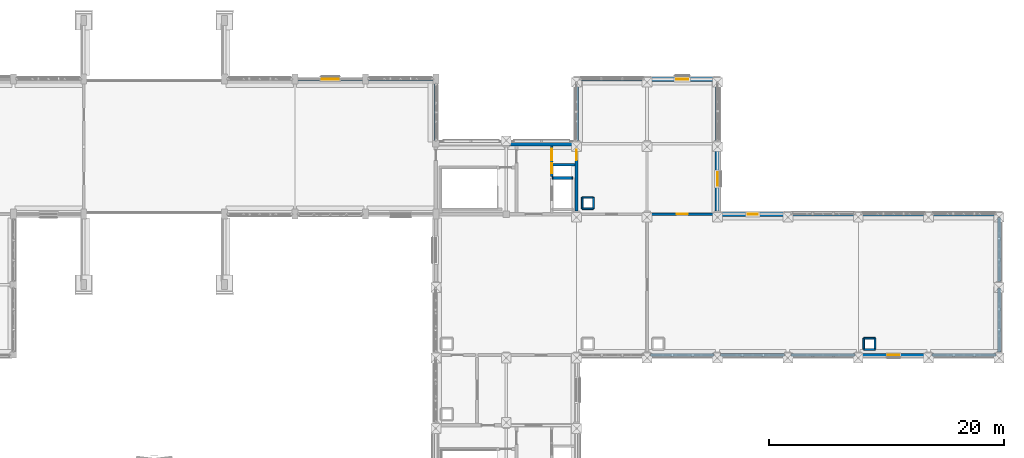
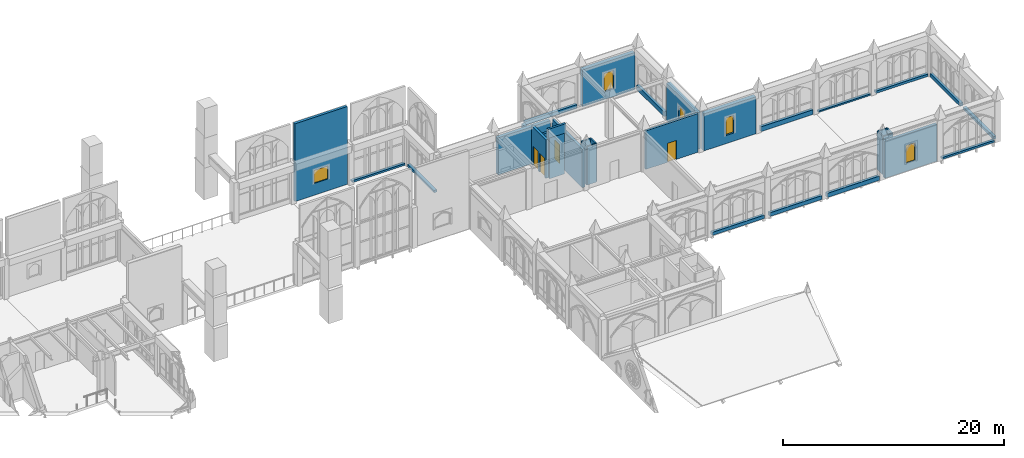
# One storey, part 80 of 108: 34 walls, 5 windows, 4 doors, 9 openings.
"""IFC4 building model written with IfcOpenShell, lengths in metres."""

from ifc_helpers import new_model, si_unit, direction, frame, frame_2d, origin, place, context, subcontext, project, spatial, rectangle, extrude, material, layer, layer_set, type_object, element, fill, save


model = new_model("IFC4")

# Units and contexts
model_context = context("Model", 3, precision=1e-05, world=origin(), true_north=direction((0.0, 1.0)))
body_context = subcontext(model_context, "Body", "Model", "MODEL_VIEW")
ifc_project = project(units=[si_unit("LENGTHUNIT", "METRE"), si_unit("AREAUNIT", "SQUARE_METRE"), si_unit("VOLUMEUNIT", "CUBIC_METRE"), si_unit("PLANEANGLEUNIT", "RADIAN"), si_unit("MASSUNIT", "GRAM", prefix="KILO")], contexts=[model_context])

# Site, building, storey
site_placement = place(None, origin())
site = spatial("IfcSite", under=ifc_project, at=site_placement, CompositionType="ELEMENT")
building_placement = place(site_placement, origin())
building = spatial("IfcBuilding", under=site, at=building_placement, Name="Cumevento Cable Car Station", CompositionType="ELEMENT")
storey_placement = place(building_placement, frame((0.0, 0.0, 13.5)))
storey = spatial("IfcBuildingStorey", under=building, at=storey_placement, Name="L04", CompositionType="ELEMENT", Elevation=13.5)

# Wall, opening, window
ifc_material_1 = material(Name="Gnaisse Facoidal Stone Ashlar 85 MPa", Category="masonry")
ifc_layer_1 = layer(ifc_material_1, 0.264892578125)
ifc_layer_set_1 = layer_set([ifc_layer_1], Name="Gnaisse Facoidal Stone Ashlar 85 MPa")
wall_type_1 = type_object("IfcWallType", Name="Exterior Envelope Wall EW-265 265", PredefinedType="SOLIDWALL", material=ifc_layer_set_1)
wall_1_placement = place(storey_placement, frame((159.72509765625, 33.0, 0.0), z_axis=(0.0, 0.0, 1.0), x_axis=(-1.0, 0.0, 0.0)))
wall_1 = element("IfcWall", 1, at=wall_1_placement, inside=storey, type_object=wall_type_1, Name="Exterior Wall EW-265 L04 #364", PredefinedType="SOLIDWALL", context=body_context, shape_type="SweptSolid", body=[
    extrude(rectangle(XDim=5.4501953125, YDim=0.264892578125, at=frame_2d((2.72509765625, 0.0))), origin(), (0.0, 0.0, 1.0), 4.093017578125),
])
opening_1_placement = place(wall_1_placement, frame((2.25, 0.0, 0.89990234375)))
opening_1 = element("IfcOpeningElement", 2, at=opening_1_placement, cuts=wall_1, Name="Opening WN-L04-098", PredefinedType="OPENING", context=body_context, shape_type="SweptSolid", body=[
    extrude(rectangle(XDim=0.949951171875, YDim=1.949951171875, at=frame_2d((0.47509765625, 0.97509765625))), frame((0.0, 0.142333984375, 0.0), z_axis=(0.0, -1.0, 0.0), x_axis=(1.0, 0.0, 0.0)), (0.0, 0.0, 1.0), 0.284912109375),
])
ifc_material_2 = material(Name="Anodised Bronze Aluminium & Laminated Solar Glass", Category="aluminium")
window_type_1 = type_object("IfcWindowType", Name="Lancet Window WN-02 950x1950", PartitioningType="SINGLE_PANEL", PredefinedType="WINDOW", material=ifc_material_2)
window_1_placement = place(opening_1_placement, origin())
window_1 = element("IfcWindow", 3, at=window_1_placement, inside=storey, type_object=window_type_1, Name="Lancet Window WN-L04-098 (WN-02)", OverallHeight=1.949951171875, OverallWidth=0.949951171875, PartitioningType="SINGLE_PANEL", PredefinedType="WINDOW", context=body_context, shape_type="SweptSolid", body=[
    extrude(rectangle(XDim=0.949951171875, YDim=1.949951171875, at=frame_2d((0.47509765625, 0.97509765625))), frame((0.0, 0.030029296875, 0.0), z_axis=(0.0, -1.0, 0.0), x_axis=(1.0, 0.0, 0.0)), (0.0, 0.0, 1.0), 0.06005859375),
])
fill(opening_1, window_1)

ifc_material_3 = material(Name="Gnaisse Facoidal Stone Ashlar 85 MPa", Category="masonry")
ifc_layer_2 = layer(ifc_material_3, 0.280029296875)
ifc_layer_set_2 = layer_set([ifc_layer_2], Name="Gnaisse Facoidal Stone Ashlar 85 MPa")
wall_type_2 = type_object("IfcWallType", Name="Exterior Envelope Wall EW-280 280", PredefinedType="SOLIDWALL", material=ifc_layer_set_2)
wall_2_placement = place(storey_placement, frame((106.25, 56.5, 0.0), z_axis=(0.0, 0.0, 1.0), x_axis=(1.0, 0.0, 0.0)))
wall_2 = element("IfcWall", 4, at=wall_2_placement, inside=storey, type_object=wall_type_2, Name="Exterior Wall EW-280 L04 #339", PredefinedType="SOLIDWALL", context=body_context, shape_type="SweptSolid", body=[
    extrude(rectangle(XDim=5.5, YDim=0.280029296875, at=frame_2d((2.75, 0.0))), origin(), (0.0, 0.0, 1.0), 8.593017578125),
])
opening_2_placement = place(wall_2_placement, frame((2.02490234375, 0.0, 1.300048828125)))
opening_2 = element("IfcOpeningElement", 5, at=opening_2_placement, cuts=wall_2, Name="Opening WN-L04-092", PredefinedType="OPENING", context=body_context, shape_type="SweptSolid", body=[
    extrude(rectangle(XDim=1.449951171875, YDim=1.449951171875, at=frame_2d((0.72509765625, 0.72509765625))), frame((0.0, 0.150146484375, 0.0), z_axis=(0.0, -1.0, 0.0), x_axis=(1.0, 0.0, 0.0)), (0.0, 0.0, 1.0), 0.300048828125),
])
ifc_material_4 = material(Name="Anodised Bronze Aluminium & Laminated Solar Glass", Category="aluminium")
window_type_2 = type_object("IfcWindowType", Name="Lancet Window WN-20 1450x1450", PartitioningType="SINGLE_PANEL", PredefinedType="WINDOW", material=ifc_material_4)
window_2_placement = place(opening_2_placement, origin())
window_2 = element("IfcWindow", 6, at=window_2_placement, inside=storey, type_object=window_type_2, Name="Lancet Window WN-L04-092 (WN-20)", OverallHeight=1.449951171875, OverallWidth=1.449951171875, PartitioningType="SINGLE_PANEL", PredefinedType="WINDOW", context=body_context, shape_type="SweptSolid", body=[
    extrude(rectangle(XDim=1.449951171875, YDim=1.449951171875, at=frame_2d((0.72509765625, 0.72509765625))), frame((0.0, 0.030029296875, 0.0), z_axis=(0.0, -1.0, 0.0), x_axis=(1.0, 0.0, 0.0)), (0.0, 0.0, 1.0), 0.06005859375),
])
fill(opening_2, window_2)

# Walls
ifc_material_5 = material(Name="Gnaisse Facoidal Stone Ashlar 85 MPa", Category="masonry")
ifc_layer_3 = layer(ifc_material_5, 0.294921875)
ifc_layer_set_3 = layer_set([ifc_layer_3], Name="Gnaisse Facoidal Stone Ashlar 85 MPa")
wall_type_3 = type_object("IfcWallType", Name="Exterior Envelope Wall EW-295 295", PredefinedType="SOLIDWALL", material=ifc_layer_set_3)
wall_3_placement = place(storey_placement, frame((112.25, 56.5, 0.0), z_axis=(0.0, 0.0, 1.0), x_axis=(1.0, 0.0, 0.0)))
element("IfcWall", 7, at=wall_3_placement, inside=storey, type_object=wall_type_3, Name="Exterior Sill Curb Wall EW-295 L04 #341", PredefinedType="SOLIDWALL", context=body_context, shape_type="SweptSolid", body=[
    extrude(rectangle(XDim=5.5, YDim=0.294921875, at=frame_2d((2.75, 0.0))), origin(), (0.0, 0.0, 1.0), 0.2099609375),
])
wall_4_placement = place(storey_placement, frame((118.0, 56.074951171875, 0.0), z_axis=(0.0, 0.0, 1.0), x_axis=(0.0, -1.0, 0.0)))
element("IfcWall", 8, at=wall_4_placement, inside=storey, type_object=wall_type_3, Name="Exterior Sill Curb Wall EW-295 L04 #342", PredefinedType="SOLIDWALL", context=body_context, shape_type="SweptSolid", body=[
    extrude(rectangle(XDim=4.800048828125, YDim=0.294921875, at=frame_2d((2.39990234375, 0.0))), origin(), (0.0, 0.0, 1.0), 0.260009765625),
])
wall_5_placement = place(storey_placement, frame((141.72509765625, 33.0, 0.0), z_axis=(0.0, 0.0, 1.0), x_axis=(-1.0, 0.0, 0.0)))
element("IfcWall", 9, at=wall_5_placement, inside=storey, type_object=wall_type_3, Name="Exterior Sill Curb Wall EW-295 L04 #359", PredefinedType="SOLIDWALL", context=body_context, shape_type="SweptSolid", body=[
    extrude(rectangle(XDim=5.4501953125, YDim=0.294921875, at=frame_2d((2.72509765625, 0.0))), origin(), (0.0, 0.0, 1.0), 0.360107421875),
])
wall_6_placement = place(storey_placement, frame((147.72509765625, 33.0, 0.0), z_axis=(0.0, 0.0, 1.0), x_axis=(-1.0, 0.0, 0.0)))
element("IfcWall", 10, at=wall_6_placement, inside=storey, type_object=wall_type_3, Name="Exterior Sill Curb Wall EW-295 L04 #360", PredefinedType="SOLIDWALL", context=body_context, shape_type="SweptSolid", body=[
    extrude(rectangle(XDim=5.4501953125, YDim=0.294921875, at=frame_2d((2.72509765625, 0.0))), origin(), (0.0, 0.0, 1.0), 0.409912109375),
])
wall_7_placement = place(storey_placement, frame((153.72509765625, 33.0, 0.0), z_axis=(0.0, 0.0, 1.0), x_axis=(-1.0, 0.0, 0.0)))
element("IfcWall", 11, at=wall_7_placement, inside=storey, type_object=wall_type_3, Name="Exterior Sill Curb Wall EW-295 L04 #362", PredefinedType="SOLIDWALL", context=body_context, shape_type="SweptSolid", body=[
    extrude(rectangle(XDim=5.4501953125, YDim=0.294921875, at=frame_2d((2.72509765625, 0.0))), origin(), (0.0, 0.0, 1.0), 0.4599609375),
])
wall_8_placement = place(storey_placement, frame((148.27490234375, 45.0, 0.0), z_axis=(0.0, 0.0, 1.0), x_axis=(1.0, 0.0, 0.0)))
element("IfcWall", 12, at=wall_8_placement, inside=storey, type_object=wall_type_3, Name="Exterior Sill Curb Wall EW-295 L04 #363", PredefinedType="SOLIDWALL", context=body_context, shape_type="SweptSolid", body=[
    extrude(rectangle(XDim=5.4501953125, YDim=0.294921875, at=frame_2d((2.72509765625, 0.0))), origin(), (0.0, 0.0, 1.0), 0.52001953125),
])
wall_9_placement = place(storey_placement, frame((154.27490234375, 45.0, 0.0), z_axis=(0.0, 0.0, 1.0), x_axis=(1.0, 0.0, 0.0)))
element("IfcWall", 13, at=wall_9_placement, inside=storey, type_object=wall_type_3, Name="Exterior Sill Curb Wall EW-295 L04 #365", PredefinedType="SOLIDWALL", context=body_context, shape_type="SweptSolid", body=[
    extrude(rectangle(XDim=5.4501953125, YDim=0.294921875, at=frame_2d((2.72509765625, 0.0))), origin(), (0.0, 0.0, 1.0), 0.159912109375),
])
wall_10_placement = place(storey_placement, frame((165.72509765625, 33.0, 0.0), z_axis=(0.0, 0.0, 1.0), x_axis=(-1.0, 0.0, 0.0)))
element("IfcWall", 14, at=wall_10_placement, inside=storey, type_object=wall_type_3, Name="Exterior Sill Curb Wall EW-295 L04 #366", PredefinedType="SOLIDWALL", context=body_context, shape_type="SweptSolid", body=[
    extrude(rectangle(XDim=5.4501953125, YDim=0.294921875, at=frame_2d((2.72509765625, 0.0))), origin(), (0.0, 0.0, 1.0), 0.2099609375),
])
wall_11_placement = place(storey_placement, frame((160.27490234375, 45.0, 0.0), z_axis=(0.0, 0.0, 1.0), x_axis=(1.0, 0.0, 0.0)))
element("IfcWall", 15, at=wall_11_placement, inside=storey, type_object=wall_type_3, Name="Exterior Sill Curb Wall EW-295 L04 #367", PredefinedType="SOLIDWALL", context=body_context, shape_type="SweptSolid", body=[
    extrude(rectangle(XDim=5.4501953125, YDim=0.294921875, at=frame_2d((2.72509765625, 0.0))), origin(), (0.0, 0.0, 1.0), 0.260009765625),
])
wall_12_placement = place(storey_placement, frame((166.0, 38.72509765625, 0.0), z_axis=(0.0, 0.0, 1.0), x_axis=(0.0, -1.0, 0.0)))
element("IfcWall", 16, at=wall_12_placement, inside=storey, type_object=wall_type_3, Name="Exterior Sill Curb Wall EW-295 L04 #368", PredefinedType="SOLIDWALL", context=body_context, shape_type="SweptSolid", body=[
    extrude(rectangle(XDim=5.4501953125, YDim=0.294921875, at=frame_2d((2.72509765625, 0.0))), origin(), (0.0, 0.0, 1.0), 0.31005859375),
])
wall_13_placement = place(storey_placement, frame((166.0, 44.72509765625, 0.0), z_axis=(0.0, 0.0, 1.0), x_axis=(0.0, -1.0, 0.0)))
element("IfcWall", 17, at=wall_13_placement, inside=storey, type_object=wall_type_3, Name="Exterior Sill Curb Wall EW-295 L04 #369", PredefinedType="SOLIDWALL", context=body_context, shape_type="SweptSolid", body=[
    extrude(rectangle(XDim=5.4501953125, YDim=0.294921875, at=frame_2d((2.72509765625, 0.0))), origin(), (0.0, 0.0, 1.0), 0.360107421875),
])
wall_14_placement = place(storey_placement, frame((130.27490234375, 56.5, 0.0), z_axis=(0.0, 0.0, 1.0), x_axis=(1.0, 0.0, 0.0)))
element("IfcWall", 18, at=wall_14_placement, inside=storey, type_object=wall_type_3, Name="Exterior Sill Curb Wall EW-295 L04 #372", PredefinedType="SOLIDWALL", context=body_context, shape_type="SweptSolid", body=[
    extrude(rectangle(XDim=5.4501953125, YDim=0.294921875, at=frame_2d((2.72509765625, 0.0))), origin(), (0.0, 0.0, 1.0), 0.409912109375),
])
wall_15_placement = place(storey_placement, frame((130.0, 51.27490234375, 0.0), z_axis=(0.0, 0.0, 1.0), x_axis=(0.0, 1.0, 0.0)))
element("IfcWall", 19, at=wall_15_placement, inside=storey, type_object=wall_type_3, Name="Exterior Sill Curb Wall EW-295 L04 #375", PredefinedType="SOLIDWALL", context=body_context, shape_type="SweptSolid", body=[
    extrude(rectangle(XDim=4.9501953125, YDim=0.294921875, at=frame_2d((2.47509765625, 0.0))), origin(), (0.0, 0.0, 1.0), 0.4599609375),
])
wall_16_placement = place(storey_placement, frame((142.0, 56.22509765625, 0.0), z_axis=(0.0, 0.0, 1.0), x_axis=(0.0, -1.0, 0.0)))
element("IfcWall", 20, at=wall_16_placement, inside=storey, type_object=wall_type_3, Name="Exterior Sill Curb Wall EW-295 L04 #376", PredefinedType="SOLIDWALL", context=body_context, shape_type="SweptSolid", body=[
    extrude(rectangle(XDim=4.9501953125, YDim=0.294921875, at=frame_2d((2.47509765625, 0.0))), origin(), (0.0, 0.0, 1.0), 0.52001953125),
])
ifc_material_6 = material(Name="Concrete C40/50", Category="concrete")
ifc_layer_4 = layer(ifc_material_6, 0.35498046875)
ifc_layer_set_4 = layer_set([ifc_layer_4], Name="Concrete C40/50")
wall_type_4 = type_object("IfcWallType", Name="Exterior Envelope Wall EW-355 355", PredefinedType="SOLIDWALL", material=ifc_layer_set_4)
wall_17_placement = place(storey_placement, frame((124.27490234375, 51.0, 0.0), z_axis=(0.0, 0.0, 1.0), x_axis=(1.0, 0.0, 0.0)))
element("IfcWall", 21, at=wall_17_placement, inside=storey, type_object=wall_type_4, Name="Exterior Wall EW-355 L04 #371", PredefinedType="SOLIDWALL", context=body_context, shape_type="SweptSolid", body=[
    extrude(rectangle(XDim=5.4501953125, YDim=0.35498046875, at=frame_2d((2.72509765625, 0.0))), origin(), (0.0, 0.0, 1.0), 4.093017578125),
])

# Wall, opening, window
ifc_material_7 = material(Name="Concrete C40/50", Category="concrete")
ifc_layer_5 = layer(ifc_material_7, 0.39990234375)
ifc_layer_set_5 = layer_set([ifc_layer_5], Name="Concrete C40/50")
wall_type_5 = type_object("IfcWallType", Name="Exterior Envelope Wall EW-400 400", PredefinedType="SOLIDWALL", material=ifc_layer_set_5)
wall_18_placement = place(storey_placement, frame((136.27490234375, 56.5, 0.0), z_axis=(0.0, 0.0, 1.0), x_axis=(1.0, 0.0, 0.0)))
wall_18 = element("IfcWall", 22, at=wall_18_placement, inside=storey, type_object=wall_type_5, Name="Exterior Wall EW-400 L04 #373", PredefinedType="SOLIDWALL", context=body_context, shape_type="SweptSolid", body=[
    extrude(rectangle(XDim=5.4501953125, YDim=0.39990234375, at=frame_2d((2.72509765625, 0.0))), origin(), (0.0, 0.0, 1.0), 4.093017578125),
])
opening_3_placement = place(wall_18_placement, frame((2.199951171875, 0.0, 0.85009765625)))
opening_3 = element("IfcOpeningElement", 23, at=opening_3_placement, cuts=wall_18, Name="Opening WN-L04-099", PredefinedType="OPENING", context=body_context, shape_type="SweptSolid", body=[
    extrude(rectangle(XDim=1.050048828125, YDim=2.050048828125, at=frame_2d((0.52490234375, 1.02490234375))), frame((0.0, 0.2099609375, 0.0), z_axis=(0.0, -1.0, 0.0), x_axis=(1.0, 0.0, 0.0)), (0.0, 0.0, 1.0), 0.419921875),
])
ifc_material_8 = material(Name="Anodised Bronze Aluminium & Laminated Solar Glass", Category="aluminium")
window_type_3 = type_object("IfcWindowType", Name="Lancet Window WN-03 1050x2050", PartitioningType="SINGLE_PANEL", PredefinedType="WINDOW", material=ifc_material_8)
window_3_placement = place(opening_3_placement, origin())
window_3 = element("IfcWindow", 24, at=window_3_placement, inside=storey, type_object=window_type_3, Name="Lancet Window WN-L04-099 (WN-03)", OverallHeight=2.050048828125, OverallWidth=1.050048828125, PartitioningType="SINGLE_PANEL", PredefinedType="WINDOW", context=body_context, shape_type="SweptSolid", body=[
    extrude(rectangle(XDim=1.050048828125, YDim=2.050048828125, at=frame_2d((0.52490234375, 1.02490234375))), frame((0.0, 0.030029296875, 0.0), z_axis=(0.0, -1.0, 0.0), x_axis=(1.0, 0.0, 0.0)), (0.0, 0.0, 1.0), 0.06005859375),
])
fill(opening_3, window_3)

ifc_material_9 = material(Name="Gnaisse Facoidal Stone Ashlar 85 MPa", Category="masonry")
ifc_layer_6 = layer(ifc_material_9, 0.4150390625)
ifc_layer_set_6 = layer_set([ifc_layer_6], Name="Gnaisse Facoidal Stone Ashlar 85 MPa")
wall_type_6 = type_object("IfcWallType", Name="Exterior Envelope Wall EW-415 415", PredefinedType="SOLIDWALL", material=ifc_layer_set_6)
wall_19_placement = place(storey_placement, frame((142.27490234375, 45.0, 0.0), z_axis=(0.0, 0.0, 1.0), x_axis=(1.0, 0.0, 0.0)))
wall_19 = element("IfcWall", 25, at=wall_19_placement, inside=storey, type_object=wall_type_6, Name="Exterior Wall EW-415 L04 #361", PredefinedType="SOLIDWALL", context=body_context, shape_type="SweptSolid", body=[
    extrude(rectangle(XDim=5.4501953125, YDim=0.4150390625, at=frame_2d((2.72509765625, 0.0))), origin(), (0.0, 0.0, 1.0), 4.093017578125),
])
opening_4_placement = place(wall_19_placement, frame((2.300048828125, 0.0, 0.89990234375)))
opening_4 = element("IfcOpeningElement", 26, at=opening_4_placement, cuts=wall_19, Name="Opening WN-L04-097", PredefinedType="OPENING", context=body_context, shape_type="SweptSolid", body=[
    extrude(rectangle(XDim=0.85009765625, YDim=1.949951171875, at=frame_2d((0.425048828125, 0.97509765625))), frame((0.0, 0.217529296875, 0.0), z_axis=(0.0, -1.0, 0.0), x_axis=(1.0, 0.0, 0.0)), (0.0, 0.0, 1.0), 0.43505859375),
])
ifc_material_10 = material(Name="Anodised Bronze Aluminium & Laminated Solar Glass", Category="aluminium")
window_type_4 = type_object("IfcWindowType", Name="Lancet Window WN-01 850x1950", PartitioningType="SINGLE_PANEL", PredefinedType="WINDOW", material=ifc_material_10)
window_4_placement = place(opening_4_placement, origin())
window_4 = element("IfcWindow", 27, at=window_4_placement, inside=storey, type_object=window_type_4, Name="Lancet Window WN-L04-097 (WN-01)", OverallHeight=1.949951171875, OverallWidth=0.85009765625, PartitioningType="SINGLE_PANEL", PredefinedType="WINDOW", context=body_context, shape_type="SweptSolid", body=[
    extrude(rectangle(XDim=0.85009765625, YDim=1.949951171875, at=frame_2d((0.425048828125, 0.97509765625))), frame((0.0, 0.030029296875, 0.0), z_axis=(0.0, -1.0, 0.0), x_axis=(1.0, 0.0, 0.0)), (0.0, 0.0, 1.0), 0.06005859375),
])
fill(opening_4, window_4)

wall_20_placement = place(storey_placement, frame((142.0, 50.72509765625, 0.0), z_axis=(0.0, 0.0, 1.0), x_axis=(0.0, -1.0, 0.0)))
wall_20 = element("IfcWall", 28, at=wall_20_placement, inside=storey, type_object=wall_type_6, Name="Exterior Wall EW-415 L04 #374", PredefinedType="SOLIDWALL", context=body_context, shape_type="SweptSolid", body=[
    extrude(rectangle(XDim=5.4501953125, YDim=0.4150390625, at=frame_2d((2.72509765625, 0.0))), origin(), (0.0, 0.0, 1.0), 4.093017578125),
])
opening_5_placement = place(wall_20_placement, frame((2.14990234375, 0.0, 0.85009765625)))
opening_5 = element("IfcOpeningElement", 29, at=opening_5_placement, cuts=wall_20, Name="Opening WN-L04-100", PredefinedType="OPENING", context=body_context, shape_type="SweptSolid", body=[
    extrude(rectangle(XDim=1.14990234375, YDim=2.050048828125, at=frame_2d((0.574951171875, 1.02490234375))), frame((0.0, 0.217529296875, 0.0), z_axis=(0.0, -1.0, 0.0), x_axis=(1.0, 0.0, 0.0)), (0.0, 0.0, 1.0), 0.43505859375),
])
ifc_material_11 = material(Name="Anodised Bronze Aluminium & Laminated Solar Glass", Category="aluminium")
window_type_5 = type_object("IfcWindowType", Name="Lancet Window WN-04 1150x2050", PartitioningType="SINGLE_PANEL", PredefinedType="WINDOW", material=ifc_material_11)
window_5_placement = place(opening_5_placement, origin())
window_5 = element("IfcWindow", 30, at=window_5_placement, inside=storey, type_object=window_type_5, Name="Lancet Window WN-L04-100 (WN-04)", OverallHeight=2.050048828125, OverallWidth=1.14990234375, PartitioningType="SINGLE_PANEL", PredefinedType="WINDOW", context=body_context, shape_type="SweptSolid", body=[
    extrude(rectangle(XDim=1.14990234375, YDim=2.050048828125, at=frame_2d((0.574951171875, 1.02490234375))), frame((0.0, 0.030029296875, 0.0), z_axis=(0.0, -1.0, 0.0), x_axis=(1.0, 0.0, 0.0)), (0.0, 0.0, 1.0), 0.06005859375),
])
fill(opening_5, window_5)

# Wall, opening, door
ifc_material_12 = material(Name="Concrete C40/50", Category="concrete")
ifc_layer_7 = layer(ifc_material_12, 0.219970703125)
ifc_layer_set_7 = layer_set([ifc_layer_7], Name="Concrete C40/50")
wall_type_7 = type_object("IfcWallType", Name="Interior Partition FW-220 220", PredefinedType="SOLIDWALL", material=ifc_layer_set_7)
wall_21_placement = place(storey_placement, frame((136.277099609375, 45.0, 0.0), z_axis=(0.0, 0.0, 1.0), x_axis=(1.0, 0.0, 0.0)))
wall_21 = element("IfcWall", 31, at=wall_21_placement, inside=storey, type_object=wall_type_7, Name="Interior Wall FW-220 L04 #722", PredefinedType="SOLIDWALL", context=body_context, shape_type="SweptSolid", body=[
    extrude(rectangle(XDim=5.44580078125, YDim=0.219970703125, at=frame_2d((2.722900390625, 0.0))), origin(), (0.0, 0.0, 1.0), 4.239990234375),
])
opening_6_placement = place(wall_21_placement, frame((2.2529296875, 0.0, 0.0)))
opening_6 = element("IfcOpeningElement", 32, at=opening_6_placement, cuts=wall_21, Name="Opening DR-L04-299", PredefinedType="OPENING", context=body_context, shape_type="SweptSolid", body=[
    extrude(rectangle(XDim=0.93994140625, YDim=2.10009765625, at=frame_2d((0.469970703125, 1.050048828125))), frame((0.0, 0.119873046875, 0.0), z_axis=(0.0, -1.0, 0.0), x_axis=(1.0, 0.0, 0.0)), (0.0, 0.0, 1.0), 0.239990234375),
])
ifc_material_13 = material(Name="Galvanised Painted Steel Fire Door", Category="steel")
door_type_1 = type_object("IfcDoorType", Name="Interior Door FD-08 940x2100", OperationType="NOTDEFINED", PredefinedType="DOOR", material=ifc_material_13)
door_1_placement = place(opening_6_placement, origin())
door_1 = element("IfcDoor", 33, at=door_1_placement, inside=storey, type_object=door_type_1, Name="Interior Door DR-L04-299 (FD-08)", OperationType="SINGLE_SWING_RIGHT", OverallHeight=2.10009765625, OverallWidth=0.93994140625, PredefinedType="DOOR", context=body_context, shape_type="SweptSolid", body=[
    extrude(rectangle(XDim=0.93994140625, YDim=2.10009765625, at=frame_2d((0.469970703125, 1.050048828125))), frame((0.0, 0.02490234375, 0.0), z_axis=(0.0, -1.0, 0.0), x_axis=(1.0, 0.0, 0.0)), (0.0, 0.0, 1.0), 0.050048828125),
])
fill(opening_6, door_1)

# Walls
ifc_material_14 = material(Name="Gypsum Board & Insulated Stud Partition", Category="gypsum")
ifc_layer_8 = layer(ifc_material_14, 0.14501953125)
ifc_layer_set_8 = layer_set([ifc_layer_8], Name="Gypsum Board & Insulated Stud Partition")
wall_type_8 = type_object("IfcWallType", Name="Interior Partition PT-145 145", PredefinedType="PARTITIONING", material=ifc_layer_set_8)
for number, where, z_axis, x_axis, name in (
    (34, (154.469970703125, 33.469970703125, 0.0), (0.0, 0.0, 1.0), (1.0, 0.0, 0.0), "Interior Wall PT-145 L04 #125"),
    (35, (155.429931640625, 33.469970703125, 0.0), (0.0, 0.0, 1.0), (0.0, 1.0, 0.0), "Interior Wall PT-145 L04 #126"),
    (36, (155.429931640625, 34.429931640625, 0.0), (0.0, 0.0, 1.0), (-1.0, 0.0, 0.0), "Interior Wall PT-145 L04 #127"),
    (37, (154.469970703125, 34.429931640625, 0.0), (0.0, 0.0, 1.0), (0.0, -1.0, 0.0), "Interior Wall PT-145 L04 #128"),
    (38, (130.469970703125, 45.469970703125, 0.0), (0.0, 0.0, 1.0), (1.0, 0.0, 0.0), "Interior Wall PT-145 L04 #129"),
    (39, (131.429931640625, 45.469970703125, 0.0), (0.0, 0.0, 1.0), (0.0, 1.0, 0.0), "Interior Wall PT-145 L04 #130"),
    (40, (131.429931640625, 46.429931640625, 0.0), (0.0, 0.0, 1.0), (-1.0, 0.0, 0.0), "Interior Wall PT-145 L04 #131"),
    (41, (130.469970703125, 46.429931640625, 0.0), (0.0, 0.0, 1.0), (0.0, -1.0, 0.0), "Interior Wall PT-145 L04 #132"),
):
    element("IfcWall", number, at=place(storey_placement, frame(where, z_axis=z_axis, x_axis=x_axis)), inside=storey, type_object=wall_type_8, Name=name, PredefinedType="PARTITIONING", context=body_context, shape_type="SweptSolid", body=[
        extrude(rectangle(XDim=0.9599609375, YDim=0.14501953125, at=frame_2d((0.47998046875, 0.0))), origin(), (0.0, 0.0, 1.0), 4.239990234375),
    ])
ifc_material_15 = material(Name="Concrete C40/50", Category="concrete")
ifc_layer_9 = layer(ifc_material_15, 0.22998046875)
ifc_layer_set_9 = layer_set([ifc_layer_9], Name="Concrete C40/50")
wall_type_9 = type_object("IfcWallType", Name="Interior Shear Wall CW-230 230", PredefinedType="SHEAR", material=ifc_layer_set_9)
wall_22_placement = place(storey_placement, frame((129.699951171875, 48.080078125, 4.5), z_axis=(0.0, 0.0, 1.0), x_axis=(-1.0, 0.0, 0.0)))
element("IfcWall", 42, at=wall_22_placement, inside=storey, type_object=wall_type_9, Name="Interior Wall CW-230 L04 #468", PredefinedType="SHEAR", context=body_context, shape_type="SweptSolid", body=[
    extrude(rectangle(XDim=1.820068359375, YDim=0.22998046875, at=frame_2d((0.91015625, 0.0))), origin(), (0.0, 0.0, 1.0), 1.0),
])
wall_23_placement = place(storey_placement, frame((128.0048828125, 48.080078125, 0.0), z_axis=(0.0, 0.0, 1.0), x_axis=(1.0, 0.0, 0.0)))
element("IfcWall", 43, at=wall_23_placement, inside=storey, type_object=wall_type_9, Name="Interior Wall CW-230 L04 #521", PredefinedType="SHEAR", context=body_context, shape_type="SweptSolid", body=[
    extrude(rectangle(XDim=1.580078125, YDim=0.22998046875, at=frame_2d((0.7900390625, 0.0))), origin(), (0.0, 0.0, 1.0), 4.5),
])
wall_24_placement = place(storey_placement, frame((128.0048828125, 49.219970703125, 0.0), z_axis=(0.0, 0.0, 1.0), x_axis=(1.0, 0.0, 0.0)))
element("IfcWall", 44, at=wall_24_placement, inside=storey, type_object=wall_type_9, Name="Interior Wall CW-230 L04 #523", PredefinedType="SHEAR", context=body_context, shape_type="SweptSolid", body=[
    extrude(rectangle(XDim=1.857666015625, YDim=0.22998046875, at=frame_2d((0.9287109375, 0.0))), origin(), (0.0, 0.0, 1.0), 4.239990234375),
])

# Wall, openings, doors
ifc_material_16 = material(Name="Concrete C40/50", Category="concrete")
ifc_layer_10 = layer(ifc_material_16, 0.25)
ifc_layer_set_10 = layer_set([ifc_layer_10], Name="Concrete C40/50")
wall_type_10 = type_object("IfcWallType", Name="Interior Shear Wall CW-250 250", PredefinedType="SHEAR", material=ifc_layer_set_10)
wall_25_placement = place(storey_placement, frame((127.8798828125, 48.199951171875, 0.0), z_axis=(0.0, 0.0, 1.0), x_axis=(0.0, 1.0, 0.0)))
wall_25 = element("IfcWall", 45, at=wall_25_placement, inside=storey, type_object=wall_type_10, Name="Interior Wall CW-250 L04 #522", PredefinedType="SHEAR", context=body_context, shape_type="SweptSolid", body=[
    extrude(rectangle(XDim=2.625, YDim=0.25, at=frame_2d((1.3125, 0.0))), origin(), (0.0, 0.0, 1.0), 4.239990234375),
])
opening_7_placement = place(wall_25_placement, frame((0.280029296875, 0.0, 0.0)))
opening_7 = element("IfcOpeningElement", 46, at=opening_7_placement, cuts=wall_25, Name="Opening DR-L04-178", PredefinedType="OPENING", context=body_context, shape_type="SweptSolid", body=[
    extrude(rectangle(XDim=0.8798828125, YDim=2.080078125, at=frame_2d((0.43994140625, 1.0400390625))), frame((0.0, 0.135009765625, 0.0), z_axis=(0.0, -1.0, 0.0), x_axis=(1.0, 0.0, 0.0)), (0.0, 0.0, 1.0), 0.27001953125),
])
opening_8_placement = place(wall_25_placement, frame((1.39990234375, 0.0, 0.0)))
opening_8 = element("IfcOpeningElement", 47, at=opening_8_placement, cuts=wall_25, Name="Opening DR-L04-179", PredefinedType="OPENING", context=body_context, shape_type="SweptSolid", body=[
    extrude(rectangle(XDim=0.9599609375, YDim=2.1201171875, at=frame_2d((0.47998046875, 1.06005859375))), frame((0.0, 0.135009765625, 0.0), z_axis=(0.0, -1.0, 0.0), x_axis=(1.0, 0.0, 0.0)), (0.0, 0.0, 1.0), 0.27001953125),
])
ifc_material_17 = material(Name="Galvanised Painted Steel Fire Door", Category="steel")
door_type_2 = type_object("IfcDoorType", Name="Interior Door FD-01 960x2120", OperationType="NOTDEFINED", PredefinedType="DOOR", material=ifc_material_17)
door_2_placement = place(opening_8_placement, origin())
door_2 = element("IfcDoor", 48, at=door_2_placement, inside=storey, type_object=door_type_2, Name="East Vestibule Lobby Door CORE6 L04", OperationType="SINGLE_SWING_RIGHT", OverallHeight=2.1201171875, OverallWidth=0.9599609375, PredefinedType="DOOR", context=body_context, shape_type="SweptSolid", body=[
    extrude(rectangle(XDim=0.9599609375, YDim=2.1201171875, at=frame_2d((0.47998046875, 1.06005859375))), frame((0.0, 0.02490234375, 0.0), z_axis=(0.0, -1.0, 0.0), x_axis=(1.0, 0.0, 0.0)), (0.0, 0.0, 1.0), 0.050048828125),
])
fill(opening_8, door_2)
ifc_material_18 = material(Name="Galvanised Painted Steel Fire Door", Category="steel")
door_type_3 = type_object("IfcDoorType", Name="Interior Door FD-07 880x2080", OperationType="NOTDEFINED", PredefinedType="DOOR", material=ifc_material_18)
door_3_placement = place(opening_7_placement, origin())
door_3 = element("IfcDoor", 49, at=door_3_placement, inside=storey, type_object=door_type_3, Name="MEP Riser Access Door CORE6 L04", OperationType="SINGLE_SWING_LEFT", OverallHeight=2.080078125, OverallWidth=0.8798828125, PredefinedType="DOOR", context=body_context, shape_type="SweptSolid", body=[
    extrude(rectangle(XDim=0.8798828125, YDim=2.080078125, at=frame_2d((0.43994140625, 1.0400390625))), frame((0.0, 0.02490234375, 0.0), z_axis=(0.0, -1.0, 0.0), x_axis=(1.0, 0.0, 0.0)), (0.0, 0.0, 1.0), 0.050048828125),
])
fill(opening_7, door_3)

# Wall, opening, door
ifc_material_19 = material(Name="Concrete C40/50", Category="concrete")
ifc_layer_11 = layer(ifc_material_19, 0.27490234375)
ifc_layer_set_11 = layer_set([ifc_layer_11], Name="Concrete C40/50")
wall_type_11 = type_object("IfcWallType", Name="Interior Shear Wall CW-275 275", PredefinedType="SHEAR", material=ifc_layer_set_11)
wall_26_placement = place(storey_placement, frame((130.0, 45.27490234375, 0.0), z_axis=(0.0, 0.0, 1.0), x_axis=(0.0, 1.0, 0.0)))
wall_26 = element("IfcWall", 50, at=wall_26_placement, inside=storey, type_object=wall_type_11, Name="Interior Wall CW-275 L04 #512", PredefinedType="SHEAR", context=body_context, shape_type="SweptSolid", body=[
    extrude(rectangle(XDim=5.4501953125, YDim=0.27490234375, at=frame_2d((2.72509765625, 0.0))), origin(), (0.0, 0.0, 1.0), 4.239990234375),
])
opening_9_placement = place(wall_26_placement, frame((4.3349609375, 0.0, 0.0)))
opening_9 = element("IfcOpeningElement", 51, at=opening_9_placement, cuts=wall_26, Name="Opening DR-L04-174", PredefinedType="OPENING", context=body_context, shape_type="SweptSolid", body=[
    extrude(rectangle(XDim=0.8798828125, YDim=2.080078125, at=frame_2d((0.43994140625, 1.0400390625))), frame((0.0, 0.1474609375, 0.0), z_axis=(0.0, -1.0, 0.0), x_axis=(1.0, 0.0, 0.0)), (0.0, 0.0, 1.0), 0.294921875),
])
door_4_placement = place(opening_9_placement, origin())
door_4 = element("IfcDoor", 52, at=door_4_placement, inside=storey, type_object=door_type_3, Name="Core CORE6 E_vest Fire Door L04", OperationType="SINGLE_SWING_RIGHT", OverallHeight=2.080078125, OverallWidth=0.8798828125, PredefinedType="DOOR", context=body_context, shape_type="SweptSolid", body=[
    extrude(rectangle(XDim=0.8798828125, YDim=2.080078125, at=frame_2d((0.43994140625, 1.0400390625))), frame((0.0, 0.02490234375, 0.0), z_axis=(0.0, -1.0, 0.0), x_axis=(1.0, 0.0, 0.0)), (0.0, 0.0, 1.0), 0.050048828125),
])
fill(opening_9, door_4)

save(model, "model.ifc")
